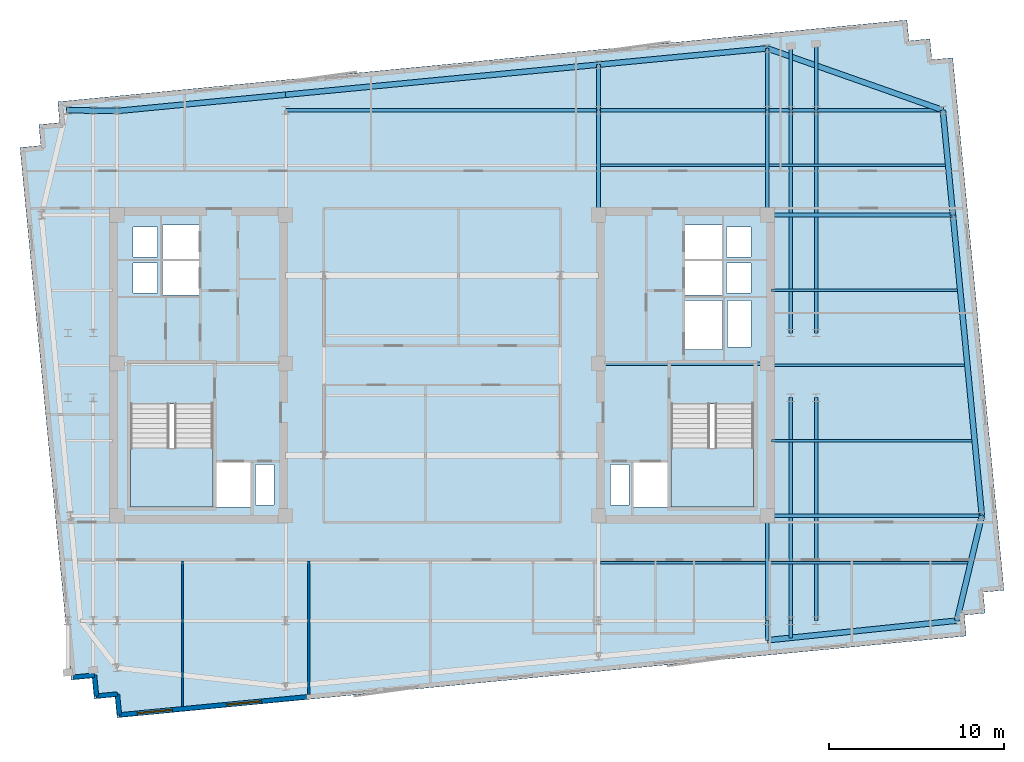
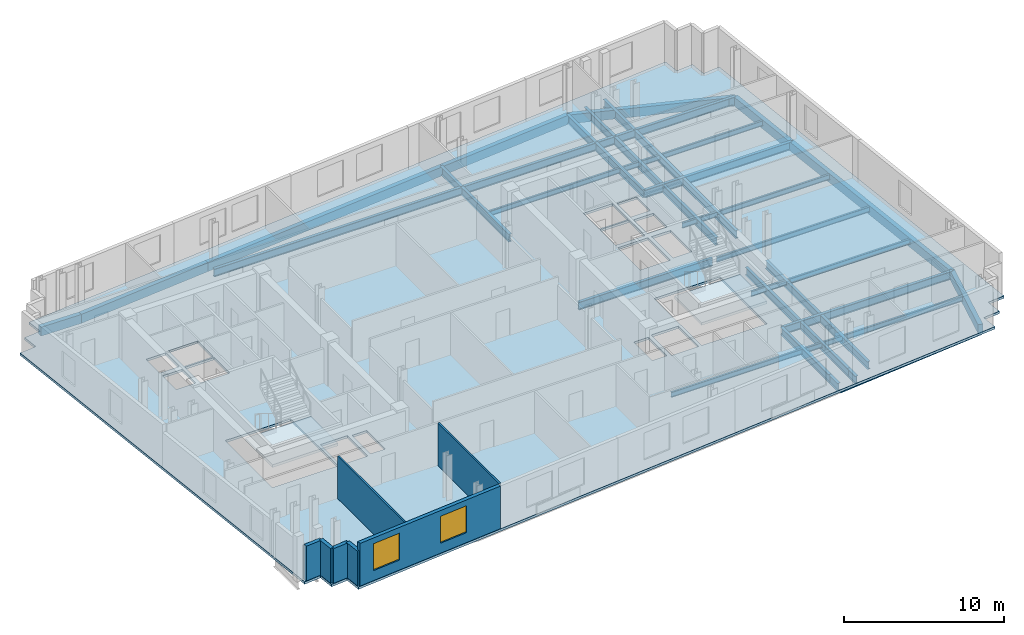
# One storey, part 2 of 9: 35 beams, 7 walls, 3 slabs, 2 windows, 2 openings, 2 elements without a shape of their own.
"""IFC4 building model written with IfcOpenShell, lengths in metres."""

from ifc_helpers import new_model, si_unit, direction, frame, frame_2d, origin, origin_2d, place, context, subcontext, project, spatial, polyline, rectangle, i_section, outline, extrude, material, layer, layer_set, material_profile, profile_set, type_object, element, fill, aggregate, save


model = new_model("IFC4")

# Units and contexts
model_context = context("Model", 3, precision=1e-05, world=origin(), true_north=direction((0.0, 1.0)))
body_context = subcontext(model_context, "Body", "Model", "MODEL_VIEW")
ifc_project = project(units=[si_unit("LENGTHUNIT", "METRE"), si_unit("AREAUNIT", "SQUARE_METRE"), si_unit("VOLUMEUNIT", "CUBIC_METRE"), si_unit("PLANEANGLEUNIT", "RADIAN"), si_unit("MASSUNIT", "GRAM", prefix="KILO")], contexts=[model_context])

# Site, building, storey
site_placement = place(None, origin())
site = spatial("IfcSite", under=ifc_project, at=site_placement, CompositionType="ELEMENT")
building_placement = place(site_placement, origin())
building = spatial("IfcBuilding", under=site, at=building_placement, Name="Velakula Bourse", CompositionType="ELEMENT")
storey_placement = place(building_placement, frame((0.0, 0.0, 262.050048828125)))
storey = spatial("IfcBuildingStorey", under=building, at=storey_placement, Name="L71", CompositionType="ELEMENT", Elevation=262.050048828125)

# Beams
ifc_material_1 = material(Name="Steel IS 2062 Grade 350 (E350)", Category="steel")
ifc_material_profile_1 = material_profile(ifc_material_1, i_section(OverallWidth=0.2099609375, OverallDepth=0.60009765625, WebThickness=0.011962890625, FlangeThickness=0.020751953125, at=origin_2d()), Name="Steel IS 2062 Grade 350 (E350)")
ifc_profile_set_1 = profile_set([ifc_material_profile_1], Name="Steel IS 2062 Grade 350 (E350)")
beam_type_1 = type_object("IfcBeamType", Name="BM-GRD-600L", PredefinedType="BEAM", material=ifc_profile_set_1)
beam_1_placement = place(storey_placement, frame((8.949951171875, 0.10009765625, -0.47998046875), z_axis=(1.0, 0.0, 0.0), x_axis=(0.0, 1.0, 0.0)))
element("IfcBeam", 1, at=beam_1_placement, inside=storey, type_object=beam_type_1, Name="L71 Primary Backbone Girder CRE-M", PredefinedType="BEAM", context=body_context, shape_type="SweptSolid", body=[
    extrude(i_section(OverallWidth=0.2099609375, OverallDepth=0.60009765625, WebThickness=0.011962890625, FlangeThickness=0.020751953125, at=origin_2d()), origin(), (0.0, 0.0, 1.0), 9.650146484375),
])
for number, where, z_axis, x_axis, name in (
    (2, (8.949951171875, 8.60009765625, -0.47998046875), (0.0, 1.0, 0.0), (-1.0, 0.0, 0.0), "L71 Fulcrum Grid Girder FLC-ECN"),
    (3, (18.60009765625, -14.60009765625, -0.47998046875), (0.0, 1.0, 0.0), (-1.0, 0.0, 0.0), "L71 Fulcrum Grid Girder FLC-ES"),
    (4, (18.60009765625, 8.60009765625, -0.47998046875), (0.0, 1.0, 0.0), (-1.0, 0.0, 0.0), "L71 Fulcrum Grid Girder FLC-EN"),
):
    element("IfcBeam", number, at=place(storey_placement, frame(where, z_axis=z_axis, x_axis=x_axis)), inside=storey, type_object=beam_type_1, Name=name, PredefinedType="BEAM", context=body_context, shape_type="SweptSolid", body=[
        extrude(i_section(OverallWidth=0.2099609375, OverallDepth=0.60009765625, WebThickness=0.011962890625, FlangeThickness=0.020751953125, at=origin_2d()), origin(), (0.0, 0.0, 1.0), 6.0),
    ])
beam_2_placement = place(storey_placement, frame((-8.949951171875, 14.60009765625, -0.47998046875), z_axis=(1.0, 0.0, 0.0), x_axis=(0.0, 1.0, 0.0)))
element("IfcBeam", 5, at=beam_2_placement, inside=storey, type_object=beam_type_1, Name="L71 Fulcrum Grid Girder FLC-N2", PredefinedType="BEAM", context=body_context, shape_type="SweptSolid", body=[
    extrude(i_section(OverallWidth=0.2099609375, OverallDepth=0.60009765625, WebThickness=0.011962890625, FlangeThickness=0.020751953125, at=origin_2d()), origin(), (0.0, 0.0, 1.0), 17.89990234375),
])
beam_3_placement = place(storey_placement, frame((8.949951171875, 14.60009765625, -0.47998046875), z_axis=(1.0, 0.0, 0.0), x_axis=(0.0, 1.0, 0.0)))
element("IfcBeam", 6, at=beam_3_placement, inside=storey, type_object=beam_type_1, Name="L71 Fulcrum Grid Girder FLC-N3", PredefinedType="BEAM", context=body_context, shape_type="SweptSolid", body=[
    extrude(i_section(OverallWidth=0.2099609375, OverallDepth=0.60009765625, WebThickness=0.011962890625, FlangeThickness=0.020751953125, at=origin_2d()), origin(), (0.0, 0.0, 1.0), 9.650146484375),
])
for number, where, z_axis, x_axis, name in (
    (7, (19.949951171875, -14.60009765625, -0.47998046875), (0.0, 1.0, 0.0), (-1.0, 0.0, 0.0), "L71 Fulcrum Grid Girder FLC-PSE1"),
    (8, (19.949951171875, 1.85009765625, -0.47998046875), (0.0, 1.0, 0.0), (-1.0, 0.0, 0.0), "L71 Fulcrum Grid Girder FLC-PNE1"),
    (9, (21.39990234375, -14.60009765625, -0.47998046875), (0.0, 1.0, 0.0), (-1.0, 0.0, 0.0), "L71 Fulcrum Grid Girder FLC-PSE2"),
    (10, (21.39990234375, 1.85009765625, -0.47998046875), (0.0, 1.0, 0.0), (-1.0, 0.0, 0.0), "L71 Fulcrum Grid Girder FLC-PNE2"),
):
    element("IfcBeam", number, at=place(storey_placement, frame(where, z_axis=z_axis, x_axis=x_axis)), inside=storey, type_object=beam_type_1, Name=name, PredefinedType="BEAM", context=body_context, shape_type="SweptSolid", body=[
        extrude(i_section(OverallWidth=0.2099609375, OverallDepth=0.60009765625, WebThickness=0.011962890625, FlangeThickness=0.020751953125, at=origin_2d()), origin(), (0.0, 0.0, 1.0), 12.75),
    ])
beam_4_placement = place(storey_placement, frame((18.60009765625, -14.60009765625, -0.47998046875), z_axis=(0.0, -1.0, 0.0), x_axis=(1.0, 0.0, 0.0)))
element("IfcBeam", 11, at=beam_4_placement, inside=storey, type_object=beam_type_1, Name="L71 Perimeter Tie Girder S4", PredefinedType="BEAM", context=body_context, shape_type="SweptSolid", body=[
    extrude(i_section(OverallWidth=0.2099609375, OverallDepth=0.60009765625, WebThickness=0.011962890625, FlangeThickness=0.020751953125, at=origin_2d()), origin(), (0.0, 0.0, 1.0), 1.1220703125),
])
beam_5_placement = place(storey_placement, frame((8.949951171875, 14.60009765625, -0.47998046875), z_axis=(0.0, 1.0, 0.0), x_axis=(-1.0, 0.0, 0.0)))
element("IfcBeam", 12, at=beam_5_placement, inside=storey, type_object=beam_type_1, Name="L71 Perimeter Tie Girder N3", PredefinedType="BEAM", context=body_context, shape_type="SweptSolid", body=[
    extrude(i_section(OverallWidth=0.2099609375, OverallDepth=0.60009765625, WebThickness=0.011962890625, FlangeThickness=0.020751953125, at=origin_2d()), origin(), (0.0, 0.0, 1.0), 2.6044921875),
])
beam_6_placement = place(storey_placement, frame((18.60009765625, 14.60009765625, -0.47998046875), z_axis=(0.0, 1.0, 0.0), x_axis=(-1.0, 0.0, 0.0)))
element("IfcBeam", 13, at=beam_6_placement, inside=storey, type_object=beam_type_1, Name="L71 Perimeter Tie Girder N4", PredefinedType="BEAM", context=body_context, shape_type="SweptSolid", body=[
    extrude(i_section(OverallWidth=0.2099609375, OverallDepth=0.60009765625, WebThickness=0.011962890625, FlangeThickness=0.020751953125, at=origin_2d()), origin(), (0.0, 0.0, 1.0), 3.53369140625),
])
beam_7_placement = place(storey_placement, frame((18.60009765625, -8.60009765625, -0.47998046875), z_axis=(1.0, 0.0, 0.0), x_axis=(0.0, 1.0, 0.0)))
element("IfcBeam", 14, at=beam_7_placement, inside=storey, type_object=beam_type_1, Name="L71 Perimeter Tie Girder E2", PredefinedType="BEAM", context=body_context, shape_type="SweptSolid", body=[
    extrude(i_section(OverallWidth=0.2099609375, OverallDepth=0.60009765625, WebThickness=0.011962890625, FlangeThickness=0.020751953125, at=origin_2d()), origin(), (0.0, 0.0, 1.0), 12.27880859375),
])
beam_8_placement = place(storey_placement, frame((18.60009765625, 8.60009765625, -0.47998046875), z_axis=(1.0, 0.0, 0.0), x_axis=(0.0, 1.0, 0.0)))
element("IfcBeam", 15, at=beam_8_placement, inside=storey, type_object=beam_type_1, Name="L71 Perimeter Tie Girder E3", PredefinedType="BEAM", context=body_context, shape_type="SweptSolid", body=[
    extrude(i_section(OverallWidth=0.2099609375, OverallDepth=0.60009765625, WebThickness=0.011962890625, FlangeThickness=0.020751953125, at=origin_2d()), origin(), (0.0, 0.0, 1.0), 10.62255859375),
])
beam_9_placement = place(storey_placement, frame((18.60009765625, 14.60009765625, -0.47998046875), z_axis=(1.0, 0.0, 0.0), x_axis=(0.0, 1.0, 0.0)))
element("IfcBeam", 16, at=beam_9_placement, inside=storey, type_object=beam_type_1, Name="L71 Perimeter Tie Girder E4", PredefinedType="BEAM", context=body_context, shape_type="SweptSolid", body=[
    extrude(i_section(OverallWidth=0.2099609375, OverallDepth=0.60009765625, WebThickness=0.011962890625, FlangeThickness=0.020751953125, at=origin_2d()), origin(), (0.0, 0.0, 1.0), 10.044921875),
])
beam_10_placement = place(storey_placement, frame((19.949951171875, -14.60009765625, -0.47998046875), z_axis=(0.0, -1.0, 0.0), x_axis=(1.0, 0.0, 0.0)))
element("IfcBeam", 17, at=beam_10_placement, inside=storey, type_object=beam_type_1, Name="L71 Perimeter Tie Girder P03", PredefinedType="BEAM", context=body_context, shape_type="SweptSolid", body=[
    extrude(i_section(OverallWidth=0.2099609375, OverallDepth=0.60009765625, WebThickness=0.011962890625, FlangeThickness=0.020751953125, at=origin_2d()), origin(), (0.0, 0.0, 1.0), 0.991943359375),
])
beam_11_placement = place(storey_placement, frame((19.949951171875, 14.60009765625, -0.47998046875), z_axis=(0.0, 1.0, 0.0), x_axis=(-1.0, 0.0, 0.0)))
element("IfcBeam", 18, at=beam_11_placement, inside=storey, type_object=beam_type_1, Name="L71 Perimeter Tie Girder P07", PredefinedType="BEAM", context=body_context, shape_type="SweptSolid", body=[
    extrude(i_section(OverallWidth=0.2099609375, OverallDepth=0.60009765625, WebThickness=0.011962890625, FlangeThickness=0.020751953125, at=origin_2d()), origin(), (0.0, 0.0, 1.0), 3.66357421875),
])
beam_12_placement = place(storey_placement, frame((21.39990234375, 14.60009765625, -0.47998046875), z_axis=(0.0, 1.0, 0.0), x_axis=(-1.0, 0.0, 0.0)))
element("IfcBeam", 19, at=beam_12_placement, inside=storey, type_object=beam_type_1, Name="L71 Perimeter Tie Girder P08", PredefinedType="BEAM", context=body_context, shape_type="SweptSolid", body=[
    extrude(i_section(OverallWidth=0.2099609375, OverallDepth=0.60009765625, WebThickness=0.011962890625, FlangeThickness=0.020751953125, at=origin_2d()), origin(), (0.0, 0.0, 1.0), 3.80322265625),
])
ifc_material_profile_2 = material_profile(ifc_material_1, i_section(OverallWidth=0.139892578125, OverallDepth=0.39990234375, WebThickness=0.0087890625, FlangeThickness=0.01611328125, at=origin_2d()), Name="Steel IS 2062 Grade 350 (E350)")
ifc_profile_set_2 = profile_set([ifc_material_profile_2], Name="Steel IS 2062 Grade 350 (E350)")
beam_type_2 = type_object("IfcBeamType", Name="JST-TWR-400", PredefinedType="JOIST", material=ifc_profile_set_2)
beam_13_placement = place(storey_placement, frame((9.054931640625, -11.300048828125, -0.380126953125), z_axis=(1.0, 0.0, 0.0), x_axis=(0.0, 1.0, 0.0)))
element("IfcBeam", 20, at=beam_13_placement, inside=storey, type_object=beam_type_2, Name="L71 Trading Floor Composite Joist 06", PredefinedType="JOIST", context=body_context, shape_type="SweptSolid", body=[
    extrude(i_section(OverallWidth=0.139892578125, OverallDepth=0.39990234375, WebThickness=0.0087890625, FlangeThickness=0.01611328125, at=origin_2d()), origin(), (0.0, 0.0, 1.0), 9.440185546875),
])
beam_14_placement = place(storey_placement, frame((18.705078125, -11.300048828125, -0.380126953125), z_axis=(1.0, 0.0, 0.0), x_axis=(0.0, 1.0, 0.0)))
element("IfcBeam", 21, at=beam_14_placement, inside=storey, type_object=beam_type_2, Name="L71 Trading Floor Composite Joist 07", PredefinedType="JOIST", context=body_context, shape_type="SweptSolid", body=[
    extrude(i_section(OverallWidth=0.139892578125, OverallDepth=0.39990234375, WebThickness=0.0087890625, FlangeThickness=0.01611328125, at=origin_2d()), origin(), (0.0, 0.0, 1.0), 11.364990234375),
])
beam_15_placement = place(storey_placement, frame((9.054931640625, 11.449951171875, -0.380126953125), z_axis=(1.0, 0.0, 0.0), x_axis=(0.0, 1.0, 0.0)))
element("IfcBeam", 22, at=beam_15_placement, inside=storey, type_object=beam_type_2, Name="L71 Trading Floor Composite Joist 11", PredefinedType="JOIST", context=body_context, shape_type="SweptSolid", body=[
    extrude(i_section(OverallWidth=0.139892578125, OverallDepth=0.39990234375, WebThickness=0.0087890625, FlangeThickness=0.01611328125, at=origin_2d()), origin(), (0.0, 0.0, 1.0), 9.440185546875),
])
beam_16_placement = place(storey_placement, frame((18.705078125, 11.449951171875, -0.380126953125), z_axis=(1.0, 0.0, 0.0), x_axis=(0.0, 1.0, 0.0)))
element("IfcBeam", 23, at=beam_16_placement, inside=storey, type_object=beam_type_2, Name="L71 Trading Floor Composite Joist 12", PredefinedType="JOIST", context=body_context, shape_type="SweptSolid", body=[
    extrude(i_section(OverallWidth=0.139892578125, OverallDepth=0.39990234375, WebThickness=0.0087890625, FlangeThickness=0.01611328125, at=origin_2d()), origin(), (0.0, 0.0, 1.0), 10.08251953125),
])
beam_17_placement = place(storey_placement, frame((18.85009765625, -4.300048828125, -0.380126953125), z_axis=(1.0, 0.0, 0.0), x_axis=(0.0, 1.0, 0.0)))
element("IfcBeam", 24, at=beam_17_placement, inside=storey, type_object=beam_type_2, Name="L71 Trading Floor Composite Joist 17", PredefinedType="JOIST", context=body_context, shape_type="SweptSolid", body=[
    extrude(i_section(OverallWidth=0.139892578125, OverallDepth=0.39990234375, WebThickness=0.0087890625, FlangeThickness=0.01611328125, at=origin_2d()), origin(), (0.0, 0.0, 1.0), 11.453857421875),
])
beam_18_placement = place(storey_placement, frame((18.85009765625, 0.0, -0.380126953125), z_axis=(1.0, 0.0, 0.0), x_axis=(0.0, 1.0, 0.0)))
element("IfcBeam", 25, at=beam_18_placement, inside=storey, type_object=beam_type_2, Name="L71 Trading Floor Composite Joist 19", PredefinedType="JOIST", context=body_context, shape_type="SweptSolid", body=[
    extrude(i_section(OverallWidth=0.139892578125, OverallDepth=0.39990234375, WebThickness=0.0087890625, FlangeThickness=0.01611328125, at=origin_2d()), origin(), (0.0, 0.0, 1.0), 11.039794921875),
])
beam_19_placement = place(storey_placement, frame((18.85009765625, 4.300048828125, -0.380126953125), z_axis=(1.0, 0.0, 0.0), x_axis=(0.0, 1.0, 0.0)))
element("IfcBeam", 26, at=beam_19_placement, inside=storey, type_object=beam_type_2, Name="L71 Trading Floor Composite Joist 21", PredefinedType="JOIST", context=body_context, shape_type="SweptSolid", body=[
    extrude(i_section(OverallWidth=0.139892578125, OverallDepth=0.39990234375, WebThickness=0.0087890625, FlangeThickness=0.01611328125, at=origin_2d()), origin(), (0.0, 0.0, 1.0), 10.6259765625),
])
ifc_material_2 = material(Name="Precast concrete M45 (fck 45 MPa)", Category="concrete")
ifc_material_profile_3 = material_profile(ifc_material_2, rectangle(XDim=0.320068359375, YDim=0.679931640625, at=origin_2d()), Name="Precast concrete M45 (fck 45 MPa)")
ifc_profile_set_3 = profile_set([ifc_material_profile_3], Name="Precast concrete M45 (fck 45 MPa)")
beam_type_3 = type_object("IfcBeamType", Name="SPN-BRICK-680", PredefinedType="SPANDREL", material=ifc_profile_set_3)
beam_20_placement = place(storey_placement, frame((-18.60009765625, 14.5517578125, -0.52001953125), z_axis=(0.99539623971, 0.095845323155, 0.0), x_axis=(-0.095845323155, 0.99539623971, 0.0)))
element("IfcBeam", 27, at=beam_20_placement, inside=storey, type_object=beam_type_3, Name="L71 Brick-Faced Precast Spandrel N1-N2", PredefinedType="SPANDREL", context=body_context, shape_type="SweptSolid", body=[
    extrude(rectangle(XDim=0.320068359375, YDim=0.679931640625, at=origin_2d()), origin(), (0.0, 0.0, 1.0), 9.69482421875),
])
beam_21_placement = place(storey_placement, frame((-8.949951171875, 15.48095703125, -0.52001953125), z_axis=(0.995395836254, 0.095849513134, 0.0), x_axis=(-0.095849513134, 0.995395836254, 0.0)))
element("IfcBeam", 28, at=beam_21_placement, inside=storey, type_object=beam_type_3, Name="L71 Brick-Faced Precast Spandrel N2-N3", PredefinedType="SPANDREL", context=body_context, shape_type="SweptSolid", body=[
    extrude(rectangle(XDim=0.320068359375, YDim=0.679931640625, at=origin_2d()), origin(), (0.0, 0.0, 1.0), 17.982666015625),
])
beam_22_placement = place(storey_placement, frame((8.949951171875, 17.20458984375, -0.52001953125), z_axis=(0.99539623971, 0.095845323155, 0.0), x_axis=(-0.095845323155, 0.99539623971, 0.0)))
element("IfcBeam", 29, at=beam_22_placement, inside=storey, type_object=beam_type_3, Name="L71 Brick-Faced Precast Spandrel N3-N4", PredefinedType="SPANDREL", context=body_context, shape_type="SweptSolid", body=[
    extrude(rectangle(XDim=0.320068359375, YDim=0.679931640625, at=origin_2d()), origin(), (0.0, 0.0, 1.0), 9.69482421875),
])
beam_23_placement = place(storey_placement, frame((29.447265625, -14.60009765625, -0.52001953125), z_axis=(0.232091371601, 0.972693988482, 0.0), x_axis=(-0.972693988482, 0.232091371601, 0.0)))
element("IfcBeam", 30, at=beam_23_placement, inside=storey, type_object=beam_type_3, Name="L71 Brick-Faced Precast Spandrel E1-E2", PredefinedType="SPANDREL", context=body_context, shape_type="SweptSolid", body=[
    extrude(rectangle(XDim=0.320068359375, YDim=0.679931640625, at=origin_2d()), origin(), (0.0, 0.0, 1.0), 6.16845703125),
])
beam_24_placement = place(storey_placement, frame((30.87890625, -8.60009765625, -0.52001953125), z_axis=(-0.095849167925, 0.995395869495, 0.0), x_axis=(-0.995395869495, -0.095849167925, 0.0)))
element("IfcBeam", 31, at=beam_24_placement, inside=storey, type_object=beam_type_3, Name="L71 Brick-Faced Precast Spandrel E2-E3", PredefinedType="SPANDREL", context=body_context, shape_type="SweptSolid", body=[
    extrude(rectangle(XDim=0.320068359375, YDim=0.679931640625, at=origin_2d()), origin(), (0.0, 0.0, 1.0), 17.27978515625),
])
beam_25_placement = place(storey_placement, frame((29.22265625, 8.60009765625, -0.52001953125), z_axis=(-0.095829714309, 0.995397742541, 0.0), x_axis=(-0.995397742541, -0.095829714309, 0.0)))
element("IfcBeam", 32, at=beam_25_placement, inside=storey, type_object=beam_type_3, Name="L71 Brick-Faced Precast Spandrel E3-E4", PredefinedType="SPANDREL", context=body_context, shape_type="SweptSolid", body=[
    extrude(rectangle(XDim=0.320068359375, YDim=0.679931640625, at=origin_2d()), origin(), (0.0, 0.0, 1.0), 6.02783203125),
])
beam_26_placement = place(storey_placement, frame((18.60009765625, -15.72216796875, -0.52001953125), z_axis=(0.994692267912, 0.102894568159, 0.0), x_axis=(-0.102894568159, 0.994692267912, 0.0)))
element("IfcBeam", 33, at=beam_26_placement, inside=storey, type_object=beam_type_3, Name="L71 Brick-Faced Precast Spandrel S4-E1", PredefinedType="SPANDREL", context=body_context, shape_type="SweptSolid", body=[
    extrude(rectangle(XDim=0.320068359375, YDim=0.679931640625, at=origin_2d()), origin(), (0.0, 0.0, 1.0), 10.905029296875),
])
beam_27_placement = place(storey_placement, frame((28.64501953125, 14.60009765625, -0.52001953125), z_axis=(-0.943331000058, 0.331853317491, 0.0), x_axis=(-0.331853317491, -0.943331000058, 0.0)))
element("IfcBeam", 34, at=beam_27_placement, inside=storey, type_object=beam_type_3, Name="L71 Brick-Faced Precast Spandrel E4-N4", PredefinedType="SPANDREL", context=body_context, shape_type="SweptSolid", body=[
    extrude(rectangle(XDim=0.320068359375, YDim=0.679931640625, at=origin_2d()), origin(), (0.0, 0.0, 1.0), 10.6484375),
])
beam_28_placement = place(storey_placement, frame((-18.60009765625, 14.5517578125, -0.52001953125), z_axis=(-0.999859727013, 0.016748919285, 0.0), x_axis=(-0.016748919285, -0.999859727013, 0.0)))
element("IfcBeam", 35, at=beam_28_placement, inside=storey, type_object=beam_type_3, Name="L71 Brick-Faced Precast Spandrel N1-W4", PredefinedType="SPANDREL", context=body_context, shape_type="SweptSolid", body=[
    extrude(rectangle(XDim=0.320068359375, YDim=0.679931640625, at=origin_2d()), origin(), (0.0, 0.0, 1.0), 2.88623046875),
])

# Stair, slab
ifc_material_3 = material(Name="Concrete M45 (fck 45 MPa)", Category="concrete")
stair_type = type_object("IfcStairType", Name="STR-DOG-390", PredefinedType="HALF_TURN_STAIR", material=ifc_material_3)
stair_1_placement = place(storey_placement, origin())
stair_1 = element("IfcStair", 36, at=stair_1_placement, inside=storey, type_object=stair_type, Name="L71 West Core Exit Stair ST-W1", PredefinedType="HALF_TURN_STAIR")
ifc_layer_1 = layer(ifc_material_3, 0.199951171875, Name="Concrete M45 (fck 45 MPa)", Category="concrete")
ifc_layer_set_1 = layer_set([ifc_layer_1], Name="Concrete M45 (fck 45 MPa)")
slab_type_1 = type_object("IfcSlabType", Name="SLB-STAIR-LND-200", PredefinedType="LANDING", material=ifc_layer_set_1)
slab_1_placement = place(storey_placement, frame((0.0, 0.0, 1.52490234375)))
slab_1 = element("IfcSlab", 37, at=slab_1_placement, type_object=slab_type_1, Name="ST-W1 landing 1", PredefinedType="LANDING", context=body_context, shape_type="SweptSolid", body=[
    extrude(outline(polyline([(-17.820068359375, -4.719970703125), (-17.820068359375, -8.10009765625), (-13.10009765625, -8.10009765625), (-13.10009765625, -4.719970703125), (-17.820068359375, -4.719970703125)])), origin(), (0.0, 0.0, 1.0), 0.199951171875),
])
aggregate(stair_1, [slab_1])

stair_2_placement = place(storey_placement, origin())
stair_2 = element("IfcStair", 38, at=stair_2_placement, inside=storey, type_object=stair_type, Name="L71 East Core Exit Stair ST-E1", PredefinedType="HALF_TURN_STAIR")
slab_2_placement = place(storey_placement, frame((0.0, 0.0, 1.52490234375)))
slab_2 = element("IfcSlab", 39, at=slab_2_placement, type_object=slab_type_1, Name="ST-E1 landing 1", PredefinedType="LANDING", context=body_context, shape_type="SweptSolid", body=[
    extrude(outline(polyline([(13.10009765625, -4.719970703125), (13.10009765625, -8.10009765625), (17.820068359375, -8.10009765625), (17.820068359375, -4.719970703125), (13.10009765625, -4.719970703125)])), origin(), (0.0, 0.0, 1.0), 0.199951171875),
])
aggregate(stair_2, [slab_2])

# Slab
ifc_material_4 = material(Name="Concrete M50 (fck 50 MPa)", Category="concrete")
ifc_layer_2 = layer(ifc_material_4, 0.179931640625, Name="Concrete M50 (fck 50 MPa)", Category="concrete")
ifc_layer_set_2 = layer_set([ifc_layer_2], Name="Concrete M50 (fck 50 MPa)")
slab_type_2 = type_object("IfcSlabType", Name="SLB-TWR-180", PredefinedType="FLOOR", material=ifc_layer_set_2)
slab_3_placement = place(storey_placement, frame((0.0, 0.0, -0.179931640625)))
element("IfcSlab", 40, at=slab_3_placement, inside=storey, type_object=slab_type_2, Name="L71 Suspended Structural Floor Slab", PredefinedType="FLOOR", context=body_context, shape_type="SweptSolid", body=[
    extrude(outline(polyline([(-18.59130859375, -20.1572265625), (29.984130859375, -15.47998046875), (29.869140625, -14.285400390625), (31.0634765625, -14.17041015625), (30.948486328125, -12.975830078125), (32.14306640625, -12.86083984375), (29.210205078125, 17.59814453125), (28.015625, 17.483154296875), (27.900634765625, 18.677734375), (26.706298828125, 18.562744140625), (26.59130859375, 19.757080078125), (-21.984130859375, 15.079833984375), (-21.869140625, 13.885498046875), (-23.0634765625, 13.7705078125), (-22.948486328125, 12.575927734375), (-24.14306640625, 12.4609375), (-21.210205078125, -17.998291015625), (-20.015625, -17.88330078125), (-19.900634765625, -19.07763671875), (-18.706298828125, -18.962646484375), (-18.59130859375, -20.1572265625)]), holes=[polyline([(-17.820068359375, -8.10009765625), (-13.10009765625, -8.10009765625), (-13.10009765625, -2.199951171875), (-17.820068359375, -2.199951171875), (-17.820068359375, -8.10009765625)]), polyline([(13.10009765625, -8.10009765625), (17.820068359375, -8.10009765625), (17.820068359375, -2.199951171875), (13.10009765625, -2.199951171875), (13.10009765625, -8.10009765625)]), polyline([(-12.89990234375, -8.10009765625), (-10.949951171875, -8.10009765625), (-10.949951171875, -5.550048828125), (-12.89990234375, -5.550048828125), (-12.89990234375, -8.10009765625)]), polyline([(10.949951171875, -8.10009765625), (12.89990234375, -8.10009765625), (12.89990234375, -5.550048828125), (10.949951171875, -5.550048828125), (10.949951171875, -8.10009765625)]), polyline([(13.89990234375, 0.919921875), (16.050048828125, 0.919921875), (16.050048828125, 3.719970703125), (13.89990234375, 3.719970703125), (13.89990234375, 0.919921875)]), polyline([(-10.679931640625, -7.97998046875), (-9.6201171875, -7.97998046875), (-9.6201171875, -5.669921875), (-10.679931640625, -5.669921875), (-10.679931640625, -7.97998046875)]), polyline([(-17.679931640625, 4.139892578125), (-16.27001953125, 4.139892578125), (-16.27001953125, 5.85009765625), (-17.679931640625, 5.85009765625), (-17.679931640625, 4.139892578125)]), polyline([(-17.679931640625, 6.2099609375), (-16.27001953125, 6.2099609375), (-16.27001953125, 7.919921875), (-17.679931640625, 7.919921875), (-17.679931640625, 6.2099609375)]), polyline([(9.6201171875, -7.97998046875), (10.679931640625, -7.97998046875), (10.679931640625, -5.669921875), (9.6201171875, -5.669921875), (9.6201171875, -7.97998046875)]), polyline([(16.27001953125, 4.139892578125), (17.679931640625, 4.139892578125), (17.679931640625, 5.85009765625), (16.27001953125, 5.85009765625), (16.27001953125, 4.139892578125)]), polyline([(16.27001953125, 6.2099609375), (17.679931640625, 6.2099609375), (17.679931640625, 7.919921875), (16.27001953125, 7.919921875), (16.27001953125, 6.2099609375)]), polyline([(16.320068359375, 1.0400390625), (17.679931640625, 1.0400390625), (17.679931640625, 3.699951171875), (16.320068359375, 3.699951171875), (16.320068359375, 1.0400390625)]), polyline([(-16.0, 4.02001953125), (-13.89990234375, 4.02001953125), (-13.89990234375, 5.969970703125), (-16.0, 5.969970703125), (-16.0, 4.02001953125)]), polyline([(-16.0, 6.090087890625), (-13.89990234375, 6.090087890625), (-13.89990234375, 8.0400390625), (-16.0, 8.0400390625), (-16.0, 6.090087890625)]), polyline([(13.89990234375, 4.02001953125), (16.0, 4.02001953125), (16.0, 5.969970703125), (13.89990234375, 5.969970703125), (13.89990234375, 4.02001953125)]), polyline([(13.89990234375, 6.090087890625), (16.0, 6.090087890625), (16.0, 8.0400390625), (13.89990234375, 8.0400390625), (13.89990234375, 6.090087890625)])]), origin(), (0.0, 0.0, 1.0), 0.179931640625),
])

# Wall, openings, windows
ifc_material_5 = material(Name="Buff kilned clay facing brick masonry", Category="masonry")
ifc_layer_3 = layer(ifc_material_5, 0.260009765625, Name="Buff kilned clay facing brick masonry", Category="masonry")
ifc_layer_set_3 = layer_set([ifc_layer_3], Name="Buff kilned clay facing brick masonry")
wall_type_1 = type_object("IfcWallType", Name="WL-EXT-BRK-260", PredefinedType="STANDARD", material=ifc_layer_set_3)
wall_1_placement = place(storey_placement, frame((-7.755859375, -18.963134765625, 0.0), z_axis=(0.0, 0.0, 1.0), x_axis=(-0.995396745868, -0.095840066339, 0.0)))
wall_1 = element("IfcWall", 41, at=wall_1_placement, inside=storey, type_object=wall_type_1, Name="L71 S Brick Spandrel Wall B1", PredefinedType="STANDARD", context=body_context, shape_type="SweptSolid", body=[
    extrude(rectangle(XDim=10.75, YDim=0.260009765625, at=frame_2d((5.375, 0.0))), origin(), (0.0, 0.0, 1.0), 3.25),
])
opening_1_placement = place(wall_1_placement, frame((2.583251953125, 0.0, 0.760009765625)))
opening_1 = element("IfcOpeningElement", 42, at=opening_1_placement, cuts=wall_1, Name="Opening W-05", PredefinedType="OPENING", context=body_context, shape_type="SweptSolid", body=[
    extrude(rectangle(XDim=2.0, YDim=2.050048828125, at=frame_2d((1.0, 1.02490234375))), frame((0.0, 0.139892578125, 0.0), z_axis=(0.0, -1.0, 0.0), x_axis=(1.0, 0.0, 0.0)), (0.0, 0.0, 1.0), 0.280029296875),
])
opening_2_placement = place(wall_1_placement, frame((7.716796875, 0.0, 0.760009765625)))
opening_2 = element("IfcOpeningElement", 43, at=opening_2_placement, cuts=wall_1, Name="Opening W-05", PredefinedType="OPENING", context=body_context, shape_type="SweptSolid", body=[
    extrude(rectangle(XDim=2.0, YDim=2.050048828125, at=frame_2d((1.0, 1.02490234375))), frame((0.0, 0.139892578125, 0.0), z_axis=(0.0, -1.0, 0.0), x_axis=(1.0, 0.0, 0.0)), (0.0, 0.0, 1.0), 0.280029296875),
])
ifc_material_6 = material(Name="Double-glazed solar-control Low-E glass", Category="glass")
window_type = type_object("IfcWindowType", Name="WIN-TWR-2000x2200", PartitioningType="DOUBLE_PANEL_VERTICAL", PredefinedType="WINDOW", material=ifc_material_6)
window_1_placement = place(opening_1_placement, origin())
window_1 = element("IfcWindow", 44, at=window_1_placement, inside=storey, type_object=window_type, Name="L71 Deep-Set Recessed Window 1", OverallHeight=2.050048828125, OverallWidth=2.0, PartitioningType="DOUBLE_PANEL_VERTICAL", PredefinedType="WINDOW", context=body_context, shape_type="SweptSolid", body=[
    extrude(rectangle(XDim=2.0, YDim=2.050048828125, at=frame_2d((1.0, 1.02490234375))), frame((0.0, 0.030029296875, 0.0), z_axis=(0.0, -1.0, 0.0), x_axis=(1.0, 0.0, 0.0)), (0.0, 0.0, 1.0), 0.06005859375),
])
fill(opening_1, window_1)
window_2_placement = place(opening_2_placement, origin())
window_2 = element("IfcWindow", 45, at=window_2_placement, inside=storey, type_object=window_type, Name="L71 Deep-Set Recessed Window 2", OverallHeight=2.050048828125, OverallWidth=2.0, PartitioningType="DOUBLE_PANEL_VERTICAL", PredefinedType="WINDOW", context=body_context, shape_type="SweptSolid", body=[
    extrude(rectangle(XDim=2.0, YDim=2.050048828125, at=frame_2d((1.0, 1.02490234375))), frame((0.0, 0.030029296875, 0.0), z_axis=(0.0, -1.0, 0.0), x_axis=(1.0, 0.0, 0.0)), (0.0, 0.0, 1.0), 0.06005859375),
])
fill(opening_2, window_2)

# Walls
wall_2_placement = place(storey_placement, frame((-21.0751953125, -17.83447265625, 0.0), z_axis=(0.0, 0.0, 1.0), x_axis=(0.995397091755, 0.095836473879, 0.0)))
element("IfcWall", 46, at=wall_2_placement, inside=storey, type_object=wall_type_1, Name="L71 Serrated Corner Brick Wall SW-1", PredefinedType="STANDARD", context=body_context, shape_type="SweptSolid", body=[
    extrude(rectangle(XDim=1.199951171875, YDim=0.260009765625, at=frame_2d((0.60009765625, 0.0))), origin(), (0.0, 0.0, 1.0), 2.64501953125),
])
for number, where, z_axis, x_axis, name in (
    (47, (-19.880859375, -17.719482421875, 0.0), (0.0, 0.0, 1.0), (0.095817067274, -0.995398960025, 0.0), "L71 Serrated Corner Brick Wall SW-2"),
    (48, (-19.765869140625, -18.9140625, 0.0), (0.0, 0.0, 1.0), (0.995398960025, 0.095817067274, 0.0), "L71 Serrated Corner Brick Wall SW-3"),
):
    element("IfcWall", number, at=place(storey_placement, frame(where, z_axis=z_axis, x_axis=x_axis)), inside=storey, type_object=wall_type_1, Name=name, PredefinedType="STANDARD", context=body_context, shape_type="SweptSolid", body=[
        extrude(rectangle(XDim=1.2001953125, YDim=0.260009765625, at=frame_2d((0.60009765625, 0.0))), origin(), (0.0, 0.0, 1.0), 2.64501953125),
    ])
wall_3_placement = place(storey_placement, frame((-18.5712890625, -18.799072265625, 0.0), z_axis=(0.0, 0.0, 1.0), x_axis=(0.095836473879, -0.995397091755, 0.0)))
element("IfcWall", 49, at=wall_3_placement, inside=storey, type_object=wall_type_1, Name="L71 Serrated Corner Brick Wall SW-4", PredefinedType="STANDARD", context=body_context, shape_type="SweptSolid", body=[
    extrude(rectangle(XDim=1.199951171875, YDim=0.260009765625, at=frame_2d((0.60009765625, 0.0))), origin(), (0.0, 0.0, 1.0), 2.64501953125),
])
ifc_material_7 = material(Name="Fire-rated double-layer gypsum drywall partition", Category="gypsum")
ifc_layer_4 = layer(ifc_material_7, 0.1201171875, Name="Fire-rated double-layer gypsum drywall partition", Category="gypsum")
ifc_layer_set_4 = layer_set([ifc_layer_4], Name="Fire-rated double-layer gypsum drywall partition")
wall_type_2 = type_object("IfcWallType", Name="WL-PART-120", PredefinedType="STANDARD", material=ifc_layer_set_4)
wall_4_placement = place(storey_placement, frame((-14.843017578125, -19.514892578125, 0.0), z_axis=(0.0, 0.0, 1.0), x_axis=(0.0, 1.0, 0.0)))
element("IfcWall", 50, at=wall_4_placement, inside=storey, type_object=wall_type_2, Name="L71 Interior Partition WL-INT-L71-SL-D5", PredefinedType="STANDARD", context=body_context, shape_type="SweptSolid", body=[
    extrude(rectangle(XDim=8.324951171875, YDim=0.1201171875, at=frame_2d((4.16259765625, 0.0))), origin(), (0.0, 0.0, 1.0), 3.25),
])
wall_5_placement = place(storey_placement, frame((-7.6279296875, -18.8203125, 0.0), z_axis=(0.0, 0.0, 1.0), x_axis=(0.0, 1.0, 0.0)))
element("IfcWall", 51, at=wall_5_placement, inside=storey, type_object=wall_type_2, Name="L71 Interior Partition WL-INT-L71-SL-D6", PredefinedType="STANDARD", context=body_context, shape_type="SweptSolid", body=[
    extrude(rectangle(XDim=7.63037109375, YDim=0.1201171875, at=frame_2d((3.815185546875, 0.0))), origin(), (0.0, 0.0, 1.0), 3.25),
])

save(model, "model.ifc")
